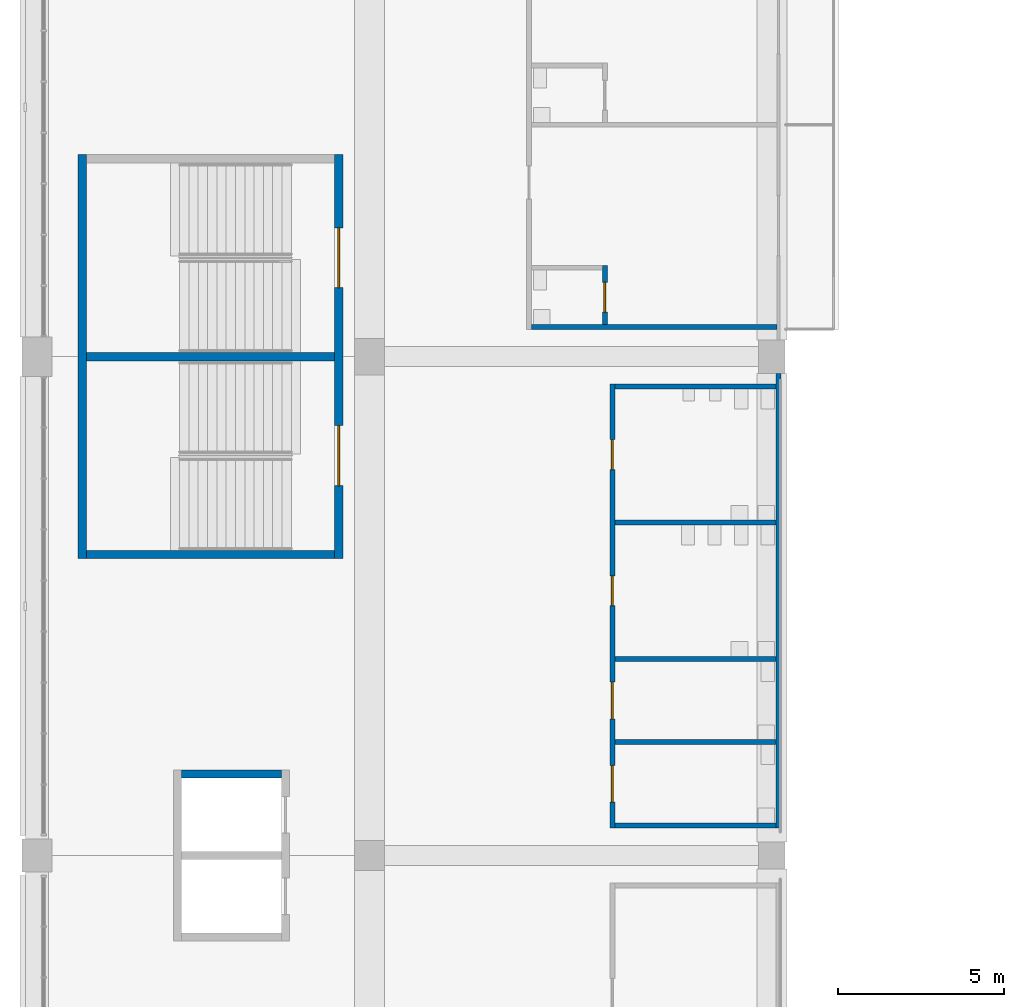
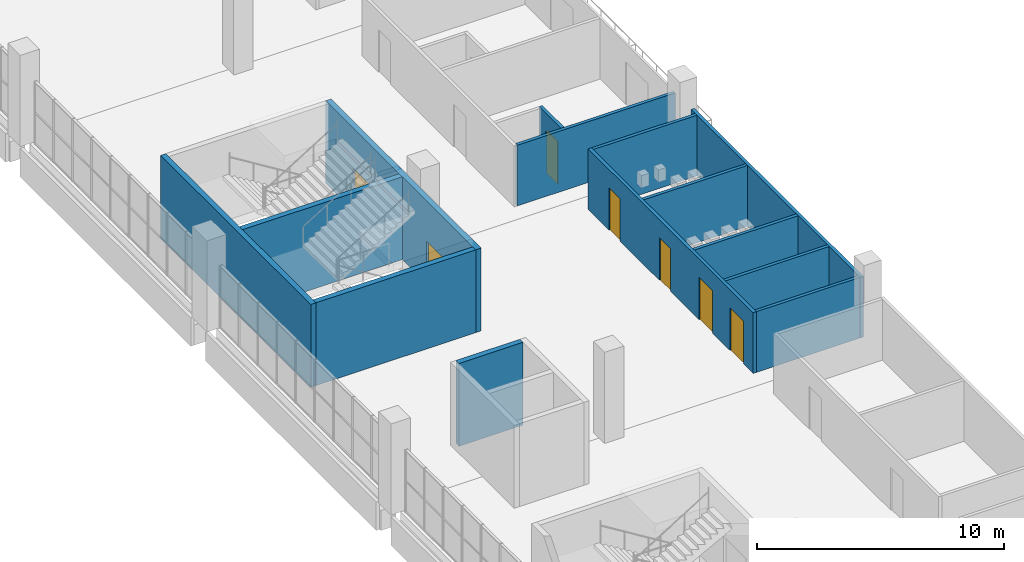
# One storey, part 78 of 199: 14 walls, 7 doors, 7 openings.
"""IFC4 building model written with IfcOpenShell, lengths in metres."""

from ifc_helpers import new_model, si_unit, direction, frame, frame_2d, origin, place, context, subcontext, project, spatial, rectangle, extrude, material, layer, layer_set, type_object, element, fill, save


model = new_model("IFC4")

# Units and contexts
model_context = context("Model", 3, precision=1e-05, world=origin(), true_north=direction((0.0, 1.0)))
body_context = subcontext(model_context, "Body", "Model", "MODEL_VIEW")
ifc_project = project(units=[si_unit("LENGTHUNIT", "METRE"), si_unit("AREAUNIT", "SQUARE_METRE"), si_unit("VOLUMEUNIT", "CUBIC_METRE"), si_unit("PLANEANGLEUNIT", "RADIAN"), si_unit("MASSUNIT", "GRAM", prefix="KILO")], contexts=[model_context])

# Site, building, storey
site_placement = place(None, origin())
site = spatial("IfcSite", under=ifc_project, at=site_placement, CompositionType="ELEMENT")
building_placement = place(site_placement, origin())
building = spatial("IfcBuilding", under=site, at=building_placement, Name="Ogive Plaza Stadium", CompositionType="ELEMENT")
storey_placement = place(building_placement, frame((0.0, 0.0, 9.0)))
storey = spatial("IfcBuildingStorey", under=building, at=storey_placement, Name="L02", CompositionType="ELEMENT", Elevation=9.0)

# Wall
ifc_material_1 = material(Name="Masonry blockwork", Category="masonry")
ifc_layer_1 = layer(ifc_material_1, 0.14990234375)
ifc_layer_set_1 = layer_set([ifc_layer_1], Name="Blockwork wall 150")
wall_type_1 = type_object("IfcWallType", Name="Blockwork wall 150", PredefinedType="SOLIDWALL", material=ifc_layer_set_1)
wall_1_placement = place(storey_placement, frame((-61.75, 23.39990234375, 0.0), z_axis=(0.0, 0.0, 1.0), x_axis=(-1.0, 0.0, 0.0)))
element("IfcWall", 1, at=wall_1_placement, inside=storey, type_object=wall_type_1, Name="Wall L02 B26", PredefinedType="SOLIDWALL", context=body_context, shape_type="SweptSolid", body=[
    extrude(rectangle(XDim=7.375, YDim=0.14990234375, at=frame_2d((3.6875, 0.0))), origin(), (0.0, 0.0, 1.0), 3.0),
])

# Wall, openings, doors
ifc_material_2 = material(Name="Concrete C40/50", Category="concrete")
ifc_layer_2 = layer(ifc_material_2, 0.25)
ifc_layer_set_2 = layer_set([ifc_layer_2], Name="Concrete C40/50")
wall_type_2 = type_object("IfcWallType", Name="Core wall 250", PredefinedType="SHEAR", material=ifc_layer_set_2)
wall_2_placement = place(storey_placement, frame((-74.925048828125, 28.574951171875, 0.0), z_axis=(0.0, 0.0, 1.0), x_axis=(0.0, -1.0, 0.0)))
wall_2 = element("IfcWall", 2, at=wall_2_placement, inside=storey, type_object=wall_type_2, Name="Stair core R26 inner wall", PredefinedType="SHEAR", context=body_context, shape_type="SweptSolid", body=[
    extrude(rectangle(XDim=12.14990234375, YDim=0.25, at=frame_2d((6.074951171875, 0.0))), origin(), (0.0, 0.0, 1.0), 4.090087890625),
])
opening_1_placement = place(wall_2_placement, frame((2.199951171875, 0.0, 0.0)))
opening_1 = element("IfcOpeningElement", 3, at=opening_1_placement, cuts=wall_2, Name="Opening D0201", PredefinedType="OPENING", context=body_context, shape_type="SweptSolid", body=[
    extrude(rectangle(XDim=1.800048828125, YDim=2.10009765625, at=frame_2d((0.89990234375, 1.050048828125))), frame((0.0, 0.125, 0.0), z_axis=(0.0, -1.0, 0.0), x_axis=(1.0, 0.0, 0.0)), (0.0, 0.0, 1.0), 0.25),
])
opening_2_placement = place(wall_2_placement, frame((8.14990234375, 0.0, 0.0)))
opening_2 = element("IfcOpeningElement", 4, at=opening_2_placement, cuts=wall_2, Name="Opening D0202", PredefinedType="OPENING", context=body_context, shape_type="SweptSolid", body=[
    extrude(rectangle(XDim=1.800048828125, YDim=2.10009765625, at=frame_2d((0.89990234375, 1.050048828125))), frame((0.0, 0.125, 0.0), z_axis=(0.0, -1.0, 0.0), x_axis=(1.0, 0.0, 0.0)), (0.0, 0.0, 1.0), 0.25),
])
ifc_material_3 = material(Name="Steel ASTM A572 Grade 50", Category="steel")
door_type_1 = type_object("IfcDoorType", Name="Fire door FD90 pair 1800 x 2100", OperationType="DOUBLE_DOOR_SINGLE_SWING", PredefinedType="DOOR", material=ifc_material_3)
door_1_placement = place(opening_1_placement, origin())
door_1 = element("IfcDoor", 5, at=door_1_placement, inside=storey, type_object=door_type_1, Name="Exit stair R26A door L02", OperationType="DOUBLE_DOOR_SINGLE_SWING", OverallHeight=2.10009765625, OverallWidth=1.800048828125, PredefinedType="DOOR", context=body_context, shape_type="SweptSolid", body=[
    extrude(rectangle(XDim=1.800048828125, YDim=2.10009765625, at=frame_2d((0.89990234375, 1.050048828125))), frame((0.0, 0.02490234375, 0.0), z_axis=(0.0, -1.0, 0.0), x_axis=(1.0, 0.0, 0.0)), (0.0, 0.0, 1.0), 0.050048828125),
])
fill(opening_1, door_1)
door_2_placement = place(opening_2_placement, origin())
door_2 = element("IfcDoor", 6, at=door_2_placement, inside=storey, type_object=door_type_1, Name="Exit stair R26B door L02", OperationType="DOUBLE_DOOR_SINGLE_SWING", OverallHeight=2.10009765625, OverallWidth=1.800048828125, PredefinedType="DOOR", context=body_context, shape_type="SweptSolid", body=[
    extrude(rectangle(XDim=1.800048828125, YDim=2.10009765625, at=frame_2d((0.89990234375, 1.050048828125))), frame((0.0, 0.02490234375, 0.0), z_axis=(0.0, -1.0, 0.0), x_axis=(1.0, 0.0, 0.0)), (0.0, 0.0, 1.0), 0.050048828125),
])
fill(opening_2, door_2)

# Walls
wall_3_placement = place(storey_placement, frame((-82.635009765625, 28.574951171875, 0.0), z_axis=(0.0, 0.0, 1.0), x_axis=(0.0, -1.0, 0.0)))
element("IfcWall", 7, at=wall_3_placement, inside=storey, type_object=wall_type_2, Name="Stair core R26 outer wall", PredefinedType="SHEAR", context=body_context, shape_type="SweptSolid", body=[
    extrude(rectangle(XDim=12.14990234375, YDim=0.25, at=frame_2d((6.074951171875, 0.0))), origin(), (0.0, 0.0, 1.0), 4.090087890625),
])
for number, where, z_axis, x_axis, name in (
    (8, (-75.050048828125, 16.550048828125, 0.0), (0.0, 0.0, 1.0), (-1.0, 0.0, 0.0), "Stair core R26 side wall"),
    (9, (-75.050048828125, 22.5, 0.0), (0.0, 0.0, 1.0), (-1.0, 0.0, 0.0), "Stair core R26 centre wall"),
):
    element("IfcWall", number, at=place(storey_placement, frame(where, z_axis=z_axis, x_axis=x_axis)), inside=storey, type_object=wall_type_2, Name=name, PredefinedType="SHEAR", context=body_context, shape_type="SweptSolid", body=[
        extrude(rectangle(XDim=7.4599609375, YDim=0.25, at=frame_2d((3.72998046875, 0.0))), origin(), (0.0, 0.0, 1.0), 4.090087890625),
    ])
wall_4_placement = place(storey_placement, frame((-76.64990234375, 9.949951171875, 0.0), z_axis=(0.0, 0.0, 1.0), x_axis=(-1.0, 0.0, 0.0)))
element("IfcWall", 10, at=wall_4_placement, inside=storey, type_object=wall_type_2, Name="Lift core LP25 side wall", PredefinedType="SHEAR", context=body_context, shape_type="SweptSolid", body=[
    extrude(rectangle(XDim=3.0, YDim=0.25, at=frame_2d((1.5, 0.0))), origin(), (0.0, 0.0, 1.0), 4.090087890625),
])
ifc_material_4 = material(Name="Gypsum board partition", Category="gypsum")
ifc_layer_3 = layer(ifc_material_4, 0.14990234375)
ifc_layer_set_3 = layer_set([ifc_layer_3], Name="Partition 150")
wall_type_3 = type_object("IfcWallType", Name="Partition 150", PredefinedType="PARTITIONING", material=ifc_layer_set_3)
wall_5_placement = place(storey_placement, frame((-61.699951171875, 22.0, 0.0), z_axis=(0.0, 0.0, 1.0), x_axis=(0.0, -1.0, 0.0)))
element("IfcWall", 11, at=wall_5_placement, inside=storey, type_object=wall_type_3, Name="Wall L02 B25", PredefinedType="PARTITIONING", context=body_context, shape_type="SweptSolid", body=[
    extrude(rectangle(XDim=13.675048828125, YDim=0.14990234375, at=frame_2d((6.83740234375, 0.0))), origin(), (0.0, 0.0, 1.0), 3.0),
])

# Wall, openings, doors
wall_6_placement = place(storey_placement, frame((-66.699951171875, 21.675048828125, 0.0), z_axis=(0.0, 0.0, 1.0), x_axis=(0.0, -1.0, 0.0)))
wall_6 = element("IfcWall", 12, at=wall_6_placement, inside=storey, type_object=wall_type_3, Name="Wall L02 B25", PredefinedType="PARTITIONING", context=body_context, shape_type="SweptSolid", body=[
    extrude(rectangle(XDim=13.35009765625, YDim=0.14990234375, at=frame_2d((6.675048828125, 0.0))), origin(), (0.0, 0.0, 1.0), 3.0),
])
opening_3_placement = place(wall_6_placement, frame((1.6708984375, 0.0, 0.0)))
opening_3 = element("IfcOpeningElement", 13, at=opening_3_placement, cuts=wall_6, Name="Opening D0697", PredefinedType="OPENING", context=body_context, shape_type="SweptSolid", body=[
    extrude(rectangle(XDim=0.89990234375, YDim=2.10009765625, at=frame_2d((0.449951171875, 1.050048828125))), frame((0.0, 0.074951171875, 0.0), z_axis=(0.0, -1.0, 0.0), x_axis=(1.0, 0.0, 0.0)), (0.0, 0.0, 1.0), 0.14990234375),
])
opening_4_placement = place(wall_6_placement, frame((5.762939453125, 0.0, 0.0)))
opening_4 = element("IfcOpeningElement", 14, at=opening_4_placement, cuts=wall_6, Name="Opening D0698", PredefinedType="OPENING", context=body_context, shape_type="SweptSolid", body=[
    extrude(rectangle(XDim=0.89990234375, YDim=2.10009765625, at=frame_2d((0.449951171875, 1.050048828125))), frame((0.0, 0.074951171875, 0.0), z_axis=(0.0, -1.0, 0.0), x_axis=(1.0, 0.0, 0.0)), (0.0, 0.0, 1.0), 0.14990234375),
])
opening_5_placement = place(wall_6_placement, frame((8.962890625, 0.0, 0.0)))
opening_5 = element("IfcOpeningElement", 15, at=opening_5_placement, cuts=wall_6, Name="Opening D0699", PredefinedType="OPENING", context=body_context, shape_type="SweptSolid", body=[
    extrude(rectangle(XDim=1.10009765625, YDim=2.10009765625, at=frame_2d((0.550048828125, 1.050048828125))), frame((0.0, 0.074951171875, 0.0), z_axis=(0.0, -1.0, 0.0), x_axis=(1.0, 0.0, 0.0)), (0.0, 0.0, 1.0), 0.14990234375),
])
opening_6_placement = place(wall_6_placement, frame((11.470947265625, 0.0, 0.0)))
opening_6 = element("IfcOpeningElement", 16, at=opening_6_placement, cuts=wall_6, Name="Opening D0700", PredefinedType="OPENING", context=body_context, shape_type="SweptSolid", body=[
    extrude(rectangle(XDim=1.10009765625, YDim=2.10009765625, at=frame_2d((0.550048828125, 1.050048828125))), frame((0.0, 0.074951171875, 0.0), z_axis=(0.0, -1.0, 0.0), x_axis=(1.0, 0.0, 0.0)), (0.0, 0.0, 1.0), 0.14990234375),
])
ifc_material_5 = material(Name="Steel ASTM A572 Grade 50", Category="steel")
door_type_2 = type_object("IfcDoorType", Name="Accessible door 1100 x 2100", OperationType="SINGLE_SWING_LEFT", PredefinedType="DOOR", material=ifc_material_5)
door_3_placement = place(opening_5_placement, origin())
door_3 = element("IfcDoor", 17, at=door_3_placement, inside=storey, type_object=door_type_2, Name="Accessible WC B25 door", OperationType="SINGLE_SWING_LEFT", OverallHeight=2.10009765625, OverallWidth=1.10009765625, PredefinedType="DOOR", context=body_context, shape_type="SweptSolid", body=[
    extrude(rectangle(XDim=1.10009765625, YDim=2.10009765625, at=frame_2d((0.550048828125, 1.050048828125))), frame((0.0, 0.02490234375, 0.0), z_axis=(0.0, -1.0, 0.0), x_axis=(1.0, 0.0, 0.0)), (0.0, 0.0, 1.0), 0.050048828125),
])
fill(opening_5, door_3)
door_4_placement = place(opening_6_placement, origin())
door_4 = element("IfcDoor", 18, at=door_4_placement, inside=storey, type_object=door_type_2, Name="Family WC B25 door", OperationType="SINGLE_SWING_RIGHT", OverallHeight=2.10009765625, OverallWidth=1.10009765625, PredefinedType="DOOR", context=body_context, shape_type="SweptSolid", body=[
    extrude(rectangle(XDim=1.10009765625, YDim=2.10009765625, at=frame_2d((0.550048828125, 1.050048828125))), frame((0.0, 0.02490234375, 0.0), z_axis=(0.0, -1.0, 0.0), x_axis=(1.0, 0.0, 0.0)), (0.0, 0.0, 1.0), 0.050048828125),
])
fill(opening_6, door_4)
ifc_material_6 = material(Name="Steel ASTM A572 Grade 50", Category="steel")
door_type_3 = type_object("IfcDoorType", Name="Door 900 x 2100", OperationType="SINGLE_SWING_LEFT", PredefinedType="DOOR", material=ifc_material_6)
door_5_placement = place(opening_3_placement, origin())
door_5 = element("IfcDoor", 19, at=door_5_placement, inside=storey, type_object=door_type_3, Name="Men's Toilet B25 door", OperationType="SINGLE_SWING_LEFT", OverallHeight=2.10009765625, OverallWidth=0.89990234375, PredefinedType="DOOR", context=body_context, shape_type="SweptSolid", body=[
    extrude(rectangle(XDim=0.89990234375, YDim=2.10009765625, at=frame_2d((0.449951171875, 1.050048828125))), frame((0.0, 0.02490234375, 0.0), z_axis=(0.0, -1.0, 0.0), x_axis=(1.0, 0.0, 0.0)), (0.0, 0.0, 1.0), 0.050048828125),
])
fill(opening_3, door_5)
door_6_placement = place(opening_4_placement, origin())
door_6 = element("IfcDoor", 20, at=door_6_placement, inside=storey, type_object=door_type_3, Name="Women's Toilet B25 door", OperationType="SINGLE_SWING_RIGHT", OverallHeight=2.10009765625, OverallWidth=0.89990234375, PredefinedType="DOOR", context=body_context, shape_type="SweptSolid", body=[
    extrude(rectangle(XDim=0.89990234375, YDim=2.10009765625, at=frame_2d((0.449951171875, 1.050048828125))), frame((0.0, 0.02490234375, 0.0), z_axis=(0.0, -1.0, 0.0), x_axis=(1.0, 0.0, 0.0)), (0.0, 0.0, 1.0), 0.050048828125),
])
fill(opening_4, door_6)

# Walls
for number, where, z_axis, x_axis, name in (
    (21, (-61.77490234375, 21.60009765625, 0.0), (0.0, 0.0, 1.0), (-1.0, 0.0, 0.0), "Wall L02 B25"),
    (22, (-61.77490234375, 17.508056640625, 0.0), (0.0, 0.0, 1.0), (-1.0, 0.0, 0.0), "Wall L02 B25"),
    (23, (-61.77490234375, 13.416015625, 0.0), (0.0, 0.0, 1.0), (-1.0, 0.0, 0.0), "Wall L02 B25"),
    (24, (-61.77490234375, 10.907958984375, 0.0), (0.0, 0.0, 1.0), (-1.0, 0.0, 0.0), "Wall L02 B25"),
    (25, (-61.77490234375, 8.39990234375, 0.0), (0.0, 0.0, 1.0), (-1.0, 0.0, 0.0), "Wall L02 B25"),
):
    element("IfcWall", number, at=place(storey_placement, frame(where, z_axis=z_axis, x_axis=x_axis)), inside=storey, type_object=wall_type_3, Name=name, PredefinedType="PARTITIONING", context=body_context, shape_type="SweptSolid", body=[
        extrude(rectangle(XDim=4.85009765625, YDim=0.14990234375, at=frame_2d((2.425048828125, 0.0))), origin(), (0.0, 0.0, 1.0), 3.0),
    ])

# Wall, opening, door
wall_7_placement = place(storey_placement, frame((-66.925048828125, 23.47509765625, 0.0), z_axis=(0.0, 0.0, 1.0), x_axis=(0.0, 1.0, 0.0)))
wall_7 = element("IfcWall", 26, at=wall_7_placement, inside=storey, type_object=wall_type_3, Name="Wall L02 B26", PredefinedType="PARTITIONING", context=body_context, shape_type="SweptSolid", body=[
    extrude(rectangle(XDim=1.77490234375, YDim=0.14990234375, at=frame_2d((0.887451171875, 0.0))), origin(), (0.0, 0.0, 1.0), 3.0),
])
opening_7_placement = place(wall_7_placement, frame((0.362548828125, 0.0, 0.0)))
opening_7 = element("IfcOpeningElement", 27, at=opening_7_placement, cuts=wall_7, Name="Opening D0705", PredefinedType="OPENING", context=body_context, shape_type="SweptSolid", body=[
    extrude(rectangle(XDim=0.89990234375, YDim=2.10009765625, at=frame_2d((0.449951171875, 1.050048828125))), frame((0.0, 0.074951171875, 0.0), z_axis=(0.0, -1.0, 0.0), x_axis=(1.0, 0.0, 0.0)), (0.0, 0.0, 1.0), 0.14990234375),
])
door_7_placement = place(opening_7_placement, origin())
door_7 = element("IfcDoor", 28, at=door_7_placement, inside=storey, type_object=door_type_3, Name="Suite WC B26 door", OperationType="SINGLE_SWING_LEFT", OverallHeight=2.10009765625, OverallWidth=0.89990234375, PredefinedType="DOOR", context=body_context, shape_type="SweptSolid", body=[
    extrude(rectangle(XDim=0.89990234375, YDim=2.10009765625, at=frame_2d((0.449951171875, 1.050048828125))), frame((0.0, 0.02490234375, 0.0), z_axis=(0.0, -1.0, 0.0), x_axis=(1.0, 0.0, 0.0)), (0.0, 0.0, 1.0), 0.050048828125),
])
fill(opening_7, door_7)

save(model, "model.ifc")
